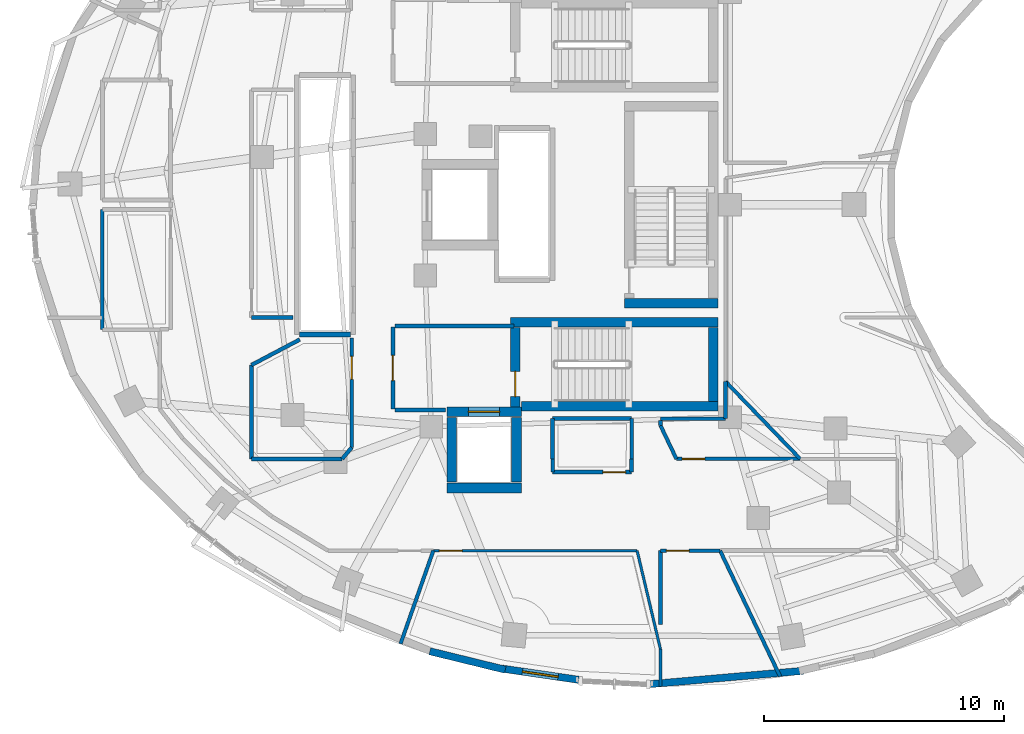
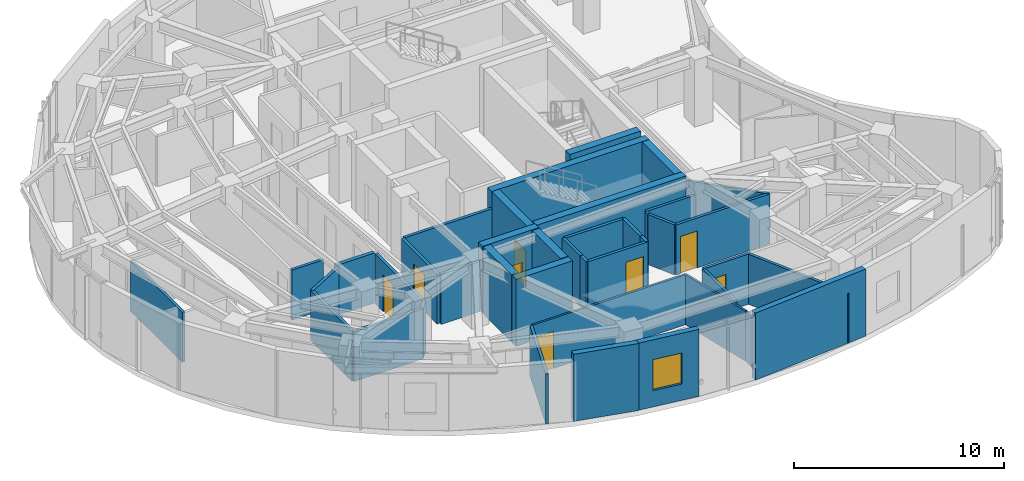
# One storey, part 7 of 13: 42 walls, 8 doors, 1 window, 9 openings.
"""IFC4 building model written with IfcOpenShell, lengths in metres."""

from ifc_helpers import new_model, si_unit, direction, frame, frame_2d, origin, place, context, subcontext, project, spatial, rectangle, extrude, material, layer, layer_set, type_object, element, fill, save


model = new_model("IFC4")

# Units and contexts
model_context = context("Model", 3, precision=1e-05, world=origin(), true_north=direction((0.0, 1.0)))
body_context = subcontext(model_context, "Body", "Model", "MODEL_VIEW")
ifc_project = project(units=[si_unit("LENGTHUNIT", "METRE"), si_unit("AREAUNIT", "SQUARE_METRE"), si_unit("VOLUMEUNIT", "CUBIC_METRE"), si_unit("PLANEANGLEUNIT", "RADIAN"), si_unit("MASSUNIT", "GRAM", prefix="KILO")], contexts=[model_context])

# Site, building, storey
site_placement = place(None, origin())
site = spatial("IfcSite", under=ifc_project, at=site_placement, CompositionType="ELEMENT")
building_placement = place(site_placement, origin())
building = spatial("IfcBuilding", under=site, at=building_placement, Name="Korentha Bioscience Tower", CompositionType="ELEMENT")
storey_placement = place(building_placement, frame((0.0, 0.0, 200.39990234375)))
storey = spatial("IfcBuildingStorey", under=building, at=storey_placement, Name="L46", CompositionType="ELEMENT", Elevation=200.39990234375)

# Wall, opening, door
ifc_material_1 = material(Name="Double-Stud Acoustic Gypsum", Category="gypsum")
ifc_layer_1 = layer(ifc_material_1, 0.14990234375, Name="Double-Stud Acoustic Gypsum")
ifc_layer_set_1 = layer_set([ifc_layer_1], Name="Double-Stud Acoustic Gypsum (IW-L150)")
wall_type_1 = type_object("IfcWallType", Name="Acoustic Laboratory Partition Wall 150", PredefinedType="PARTITIONING", material=ifc_layer_set_1)
wall_1_placement = place(storey_placement, frame((34.652099609375, 12.590087890625, 0.0), z_axis=(0.0, 0.0, 1.0), x_axis=(1.0, 0.0, 0.0)))
wall_1 = element("IfcWall", 1, at=wall_1_placement, inside=storey, type_object=wall_type_1, Name="L46 Research Colloquium Seminar Room 04 Entrance Wall", PredefinedType="PARTITIONING", context=body_context, shape_type="SweptSolid", body=[
    extrude(rectangle(XDim=2.480224609375, YDim=0.14990234375, at=frame_2d((1.240234375, 0.0))), origin(), (0.0, 0.0, 1.0), 2.91015625),
])
opening_1_placement = place(wall_1_placement, frame((0.239990234375, 0.0, 0.0)))
opening_1 = element("IfcOpeningElement", 2, at=opening_1_placement, cuts=wall_1, Name="Opening ID-10R", PredefinedType="OPENING", context=body_context, shape_type="SweptSolid", body=[
    extrude(rectangle(XDim=0.949951171875, YDim=2.14990234375, at=frame_2d((0.47509765625, 1.074951171875))), frame((0.0, 0.08984375, 0.0), z_axis=(0.0, -1.0, 0.0), x_axis=(1.0, 0.0, 0.0)), (0.0, 0.0, 1.0), 0.1796875),
])
ifc_material_2 = material(Name="Phenolic Laminate Timber Core", Category="wood")
door_type_1 = type_object("IfcDoorType", Name="Laboratory Single Leaf Door 950x2150 Right", OperationType="SINGLE_SWING_RIGHT", PredefinedType="DOOR", material=ifc_material_2)
door_1_placement = place(opening_1_placement, origin())
door_1 = element("IfcDoor", 3, at=door_1_placement, inside=storey, type_object=door_type_1, Name="L46 Research Colloquium Seminar Room 04 Door", OperationType="SINGLE_SWING_RIGHT", OverallHeight=2.14990234375, OverallWidth=0.949951171875, PredefinedType="DOOR", context=body_context, shape_type="SweptSolid", body=[
    extrude(rectangle(XDim=0.949951171875, YDim=2.14990234375, at=frame_2d((0.47509765625, 1.074951171875))), frame((0.0, 0.02490234375, 0.0), z_axis=(0.0, -1.0, 0.0), x_axis=(1.0, 0.0, 0.0)), (0.0, 0.0, 1.0), 0.050048828125),
])
fill(opening_1, door_1)

wall_2_placement = place(storey_placement, frame((40.47216796875, 16.409912109375, 0.0), z_axis=(0.0, 0.0, 1.0), x_axis=(-1.0, 0.0, 0.0)))
wall_2 = element("IfcWall", 4, at=wall_2_placement, inside=storey, type_object=wall_type_1, Name="L46 Computational Biology Open Studio 06 Entrance Wall", PredefinedType="PARTITIONING", context=body_context, shape_type="SweptSolid", body=[
    extrude(rectangle(XDim=5.157470703125, YDim=0.14990234375, at=frame_2d((2.57861328125, 0.0))), origin(), (0.0, 0.0, 1.0), 2.91015625),
])
opening_2_placement = place(wall_2_placement, frame((3.967529296875, 0.0, 0.0)))
opening_2 = element("IfcOpeningElement", 5, at=opening_2_placement, cuts=wall_2, Name="Opening ID-10R", PredefinedType="OPENING", context=body_context, shape_type="SweptSolid", body=[
    extrude(rectangle(XDim=0.949951171875, YDim=2.14990234375, at=frame_2d((0.47509765625, 1.074951171875))), frame((0.0, 0.08984375, 0.0), z_axis=(0.0, -1.0, 0.0), x_axis=(1.0, 0.0, 0.0)), (0.0, 0.0, 1.0), 0.1796875),
])
door_2_placement = place(opening_2_placement, origin())
door_2 = element("IfcDoor", 6, at=door_2_placement, inside=storey, type_object=door_type_1, Name="L46 Computational Biology Open Studio 06 Door", OperationType="SINGLE_SWING_RIGHT", OverallHeight=2.14990234375, OverallWidth=0.949951171875, PredefinedType="DOOR", context=body_context, shape_type="SweptSolid", body=[
    extrude(rectangle(XDim=0.949951171875, YDim=2.14990234375, at=frame_2d((0.47509765625, 1.074951171875))), frame((0.0, 0.02490234375, 0.0), z_axis=(0.0, -1.0, 0.0), x_axis=(1.0, 0.0, 0.0)), (0.0, 0.0, 1.0), 0.050048828125),
])
fill(opening_2, door_2)

# Walls
wall_3_placement = place(storey_placement, frame((11.39990234375, 21.800048828125, 0.0), z_axis=(0.0, 0.0, 1.0), x_axis=(0.0, 1.0, 0.0)))
element("IfcWall", 7, at=wall_3_placement, inside=storey, type_object=wall_type_1, Name="L46 Interior Partition 027", PredefinedType="PARTITIONING", context=body_context, shape_type="SweptSolid", body=[
    extrude(rectangle(XDim=5.0, YDim=0.14990234375, at=frame_2d((2.5, 0.0))), origin(), (0.0, 0.0, 1.0), 2.91015625),
])
wall_4_placement = place(storey_placement, frame((25.187255859375, 12.590087890625, 0.0), z_axis=(0.0, 0.0, 1.0), x_axis=(-0.33203815737, -0.9432659551, 0.0)))
element("IfcWall", 8, at=wall_4_placement, inside=storey, type_object=wall_type_1, Name="L46 Interior Partition 043", PredefinedType="PARTITIONING", context=body_context, shape_type="SweptSolid", body=[
    extrude(rectangle(XDim=4.1162109375, YDim=0.14990234375, at=frame_2d((2.05810546875, 0.0))), origin(), (0.0, 0.0, 1.0), 2.91015625),
])
wall_5_placement = place(storey_placement, frame((34.652099609375, 9.510498046875, 0.0), z_axis=(0.0, 0.0, 1.0), x_axis=(0.0, 1.0, 0.0)))
element("IfcWall", 9, at=wall_5_placement, inside=storey, type_object=wall_type_1, Name="L46 Interior Partition 047", PredefinedType="PARTITIONING", context=body_context, shape_type="SweptSolid", body=[
    extrude(rectangle(XDim=3.07958984375, YDim=0.14990234375, at=frame_2d((1.539794921875, 0.0))), origin(), (0.0, 0.0, 1.0), 2.91015625),
])
wall_6_placement = place(storey_placement, frame((37.13232421875, 12.590087890625, 0.0), z_axis=(0.0, 0.0, 1.0), x_axis=(0.430506245384, -0.902587598344, 0.0)))
element("IfcWall", 10, at=wall_6_placement, inside=storey, type_object=wall_type_1, Name="L46 Interior Partition 048", PredefinedType="PARTITIONING", context=body_context, shape_type="SweptSolid", body=[
    extrude(rectangle(XDim=5.8076171875, YDim=0.14990234375, at=frame_2d((2.90380859375, 0.0))), origin(), (0.0, 0.0, 1.0), 2.91015625),
])
wall_7_placement = place(storey_placement, frame((34.652099609375, 17.79931640625, 0.0), z_axis=(0.0, 0.0, 1.0), x_axis=(0.0, 1.0, 0.0)))
element("IfcWall", 11, at=wall_7_placement, inside=storey, type_object=wall_type_1, Name="L46 Interior Partition 050", PredefinedType="PARTITIONING", context=body_context, shape_type="SweptSolid", body=[
    extrude(rectangle(XDim=0.212646484375, YDim=0.14990234375, at=frame_2d((0.1064453125, 0.0))), origin(), (0.0, 0.0, 1.0), 2.91015625),
])
wall_8_placement = place(storey_placement, frame((34.652099609375, 18.090087890625, 0.0), z_axis=(0.0, 0.0, 1.0), x_axis=(1.0, 0.0, 0.0)))
element("IfcWall", 12, at=wall_8_placement, inside=storey, type_object=wall_type_1, Name="L46 Interior Partition 051", PredefinedType="PARTITIONING", context=body_context, shape_type="SweptSolid", body=[
    extrude(rectangle(XDim=2.697998046875, YDim=0.14990234375, at=frame_2d((1.34912109375, 0.0))), origin(), (0.0, 0.0, 1.0), 2.91015625),
])
wall_9_placement = place(storey_placement, frame((37.360107421875, 18.10009765625, 0.0), z_axis=(0.0, 0.0, 1.0), x_axis=(0.0, 1.0, 0.0)))
element("IfcWall", 13, at=wall_9_placement, inside=storey, type_object=wall_type_1, Name="L46 Interior Partition 052", PredefinedType="PARTITIONING", context=body_context, shape_type="SweptSolid", body=[
    extrude(rectangle(XDim=1.536865234375, YDim=0.14990234375, at=frame_2d((0.7685546875, 0.0))), origin(), (0.0, 0.0, 1.0), 2.91015625),
])
wall_10_placement = place(storey_placement, frame((37.360107421875, 19.636962890625, 0.0), z_axis=(0.0, 0.0, 1.0), x_axis=(0.694165803971, -0.719815140573, 0.0)))
element("IfcWall", 14, at=wall_10_placement, inside=storey, type_object=wall_type_1, Name="L46 Interior Partition 053", PredefinedType="PARTITIONING", context=body_context, shape_type="SweptSolid", body=[
    extrude(rectangle(XDim=4.483154296875, YDim=0.14990234375, at=frame_2d((2.24169921875, 0.0))), origin(), (0.0, 0.0, 1.0), 2.91015625),
])
wall_11_placement = place(storey_placement, frame((35.314697265625, 16.409912109375, 0.0), z_axis=(0.0, 0.0, 1.0), x_axis=(-0.430450657863, 0.902614109764, 0.0)))
element("IfcWall", 15, at=wall_11_placement, inside=storey, type_object=wall_type_1, Name="L46 Interior Partition 054", PredefinedType="PARTITIONING", context=body_context, shape_type="SweptSolid", body=[
    extrude(rectangle(XDim=1.539306640625, YDim=0.14990234375, at=frame_2d((0.76953125, 0.0))), origin(), (0.0, 0.0, 1.0), 2.91015625),
])
wall_12_placement = place(storey_placement, frame((19.33984375, 22.302001953125, 0.0), z_axis=(0.0, 0.0, 1.0), x_axis=(-1.0, 0.0, 0.0)))
element("IfcWall", 16, at=wall_12_placement, inside=storey, type_object=wall_type_1, Name="L46 Interior Partition 085", PredefinedType="PARTITIONING", context=body_context, shape_type="SweptSolid", body=[
    extrude(rectangle(XDim=1.729736328125, YDim=0.14990234375, at=frame_2d((0.86474609375, 0.0))), origin(), (0.0, 0.0, 1.0), 2.91015625),
])

# Wall, opening, door
ifc_material_3 = material(Name="Fire-Rated Framed Glass", Category="glass")
ifc_layer_2 = layer(ifc_material_3, 0.110107421875, Name="Fire-Rated Framed Glass")
ifc_layer_set_2 = layer_set([ifc_layer_2], Name="Fire-Rated Framed Glass (IW-G110)")
wall_type_2 = type_object("IfcWallType", Name="Demountable Glazed Office Partition 110", PredefinedType="MOVABLE", material=ifc_layer_set_2)
wall_13_placement = place(storey_placement, frame((25.197265625, 12.590087890625, 0.0), z_axis=(0.0, 0.0, 1.0), x_axis=(1.0, 0.0, 0.0)))
wall_13 = element("IfcWall", 17, at=wall_13_placement, inside=storey, type_object=wall_type_2, Name="L46 Principal Investigator Office 03 Entrance Wall", PredefinedType="MOVABLE", context=body_context, shape_type="SweptSolid", body=[
    extrude(rectangle(XDim=8.47802734375, YDim=0.110107421875, at=frame_2d((4.239013671875, 0.0))), origin(), (0.0, 0.0, 1.0), 2.91015625),
])
opening_3_placement = place(wall_13_placement, frame((0.239990234375, 0.0, 0.0)))
opening_3 = element("IfcOpeningElement", 18, at=opening_3_placement, cuts=wall_13, Name="Opening ID-10L", PredefinedType="OPENING", context=body_context, shape_type="SweptSolid", body=[
    extrude(rectangle(XDim=0.949951171875, YDim=2.14990234375, at=frame_2d((0.47509765625, 1.074951171875))), frame((0.0, 0.06982421875, 0.0), z_axis=(0.0, -1.0, 0.0), x_axis=(1.0, 0.0, 0.0)), (0.0, 0.0, 1.0), 0.139892578125),
])
door_type_2 = type_object("IfcDoorType", Name="Laboratory Single Leaf Door 950x2150 Left", OperationType="SINGLE_SWING_LEFT", PredefinedType="DOOR", material=ifc_material_2)
door_3_placement = place(opening_3_placement, origin())
door_3 = element("IfcDoor", 19, at=door_3_placement, inside=storey, type_object=door_type_2, Name="L46 Principal Investigator Office 03 Door", OperationType="SINGLE_SWING_LEFT", OverallHeight=2.14990234375, OverallWidth=0.949951171875, PredefinedType="DOOR", context=body_context, shape_type="SweptSolid", body=[
    extrude(rectangle(XDim=0.949951171875, YDim=2.14990234375, at=frame_2d((0.47509765625, 1.074951171875))), frame((0.0, 0.02490234375, 0.0), z_axis=(0.0, -1.0, 0.0), x_axis=(1.0, 0.0, 0.0)), (0.0, 0.0, 1.0), 0.050048828125),
])
fill(opening_3, door_3)

# Walls
wall_14_placement = place(storey_placement, frame((34.64794921875, 8.486572265625, 0.0), z_axis=(0.0, 0.0, 1.0), x_axis=(0.0, -1.0, 0.0)))
element("IfcWall", 20, at=wall_14_placement, inside=storey, type_object=wall_type_2, Name="L46 Interior Partition 044", PredefinedType="MOVABLE", context=body_context, shape_type="SweptSolid", body=[
    extrude(rectangle(XDim=1.558837890625, YDim=0.110107421875, at=frame_2d((0.779296875, 0.0))), origin(), (0.0, 0.0, 1.0), 2.91015625),
])
wall_15_placement = place(storey_placement, frame((33.67529296875, 12.590087890625, 0.0), z_axis=(0.0, 0.0, 1.0), x_axis=(0.230652477901, -0.973036193797, 0.0)))
element("IfcWall", 21, at=wall_15_placement, inside=storey, type_object=wall_type_2, Name="L46 Interior Partition 045", PredefinedType="MOVABLE", context=body_context, shape_type="SweptSolid", body=[
    extrude(rectangle(XDim=4.217041015625, YDim=0.110107421875, at=frame_2d((2.1083984375, 0.0))), origin(), (0.0, 0.0, 1.0), 2.91015625),
])

# Wall, opening, door
ifc_material_4 = material(Name="Gypsum-Clad Steel Stud", Category="steel")
ifc_layer_3 = layer(ifc_material_4, 0.159912109375, Name="Gypsum-Clad Steel Stud")
ifc_layer_set_3 = layer_set([ifc_layer_3], Name="Gypsum-Clad Steel Stud (IW-C160)")
wall_type_3 = type_object("IfcWallType", Name="Fire-Rated Corridor Partition Wall 160", PredefinedType="PARTITIONING", material=ifc_layer_set_3)
wall_16_placement = place(storey_placement, frame((23.5, 18.5, 0.0), z_axis=(0.0, 0.0, 1.0), x_axis=(0.0, 1.0, 0.0)))
wall_16 = element("IfcWall", 22, at=wall_16_placement, inside=storey, type_object=wall_type_3, Name="L46 FFLS-CW Rated Enclosure Wall", PredefinedType="PARTITIONING", context=body_context, shape_type="SweptSolid", body=[
    extrude(rectangle(XDim=3.39990234375, YDim=0.159912109375, at=frame_2d((1.699951171875, 0.0))), origin(), (0.0, 0.0, 1.0), 2.91015625),
])
opening_4_placement = place(wall_16_placement, frame((1.175048828125, 0.0, 0.0)))
opening_4 = element("IfcOpeningElement", 23, at=opening_4_placement, cuts=wall_16, Name="Opening FD-90L", PredefinedType="OPENING", context=body_context, shape_type="SweptSolid", body=[
    extrude(rectangle(XDim=1.050048828125, YDim=2.14990234375, at=frame_2d((0.52490234375, 1.074951171875))), frame((0.0, 0.0947265625, 0.0), z_axis=(0.0, -1.0, 0.0), x_axis=(1.0, 0.0, 0.0)), (0.0, 0.0, 1.0), 0.189697265625),
])
ifc_material_5 = material(Name="Powder-Coated Fire-Rated Steel", Category="steel")
door_type_3 = type_object("IfcDoorType", Name="Stairwell Fire Exit Door 1050x2150 Left", OperationType="SINGLE_SWING_LEFT", PredefinedType="DOOR", material=ifc_material_5)
door_4_placement = place(opening_4_placement, origin())
door_4 = element("IfcDoor", 24, at=door_4_placement, inside=storey, type_object=door_type_3, Name="L46 South Firefighting Lobby Door", OperationType="SINGLE_SWING_LEFT", OverallHeight=2.14990234375, OverallWidth=1.050048828125, PredefinedType="DOOR", context=body_context, shape_type="SweptSolid", body=[
    extrude(rectangle(XDim=1.050048828125, YDim=2.14990234375, at=frame_2d((0.52490234375, 1.074951171875))), frame((0.0, 0.02490234375, 0.0), z_axis=(0.0, -1.0, 0.0), x_axis=(1.0, 0.0, 0.0)), (0.0, 0.0, 1.0), 0.050048828125),
])
fill(opening_4, door_4)

# Walls
wall_17_placement = place(storey_placement, frame((23.580078125, 21.949951171875, 0.0), z_axis=(0.0, 0.0, 1.0), x_axis=(1.0, 0.0, 0.0)))
element("IfcWall", 25, at=wall_17_placement, inside=storey, type_object=wall_type_3, Name="L46 Firefighting Lobby Return Wall FFLS-N", PredefinedType="PARTITIONING", context=body_context, shape_type="SweptSolid", body=[
    extrude(rectangle(XDim=4.969970703125, YDim=0.159912109375, at=frame_2d((2.48486328125, 0.0))), origin(), (0.0, 0.0, 1.0), 2.91015625),
])
wall_18_placement = place(storey_placement, frame((23.580078125, 18.449951171875, 0.0), z_axis=(0.0, 0.0, 1.0), x_axis=(1.0, 0.0, 0.0)))
element("IfcWall", 26, at=wall_18_placement, inside=storey, type_object=wall_type_3, Name="L46 Firefighting Lobby Return Wall FFLS-S", PredefinedType="PARTITIONING", context=body_context, shape_type="SweptSolid", body=[
    extrude(rectangle(XDim=2.119873046875, YDim=0.159912109375, at=frame_2d((1.06005859375, 0.0))), origin(), (0.0, 0.0, 1.0), 2.91015625),
])

# Wall, opening, door
wall_19_placement = place(storey_placement, frame((33.43994140625, 15.860107421875, 0.0), z_axis=(0.0, 0.0, 1.0), x_axis=(-1.0, 0.0, 0.0)))
wall_19 = element("IfcWall", 27, at=wall_19_placement, inside=storey, type_object=wall_type_3, Name="L46 Core Instrumentation and Gas Store Entrance Wall", PredefinedType="PARTITIONING", context=body_context, shape_type="SweptSolid", body=[
    extrude(rectangle(XDim=3.280029296875, YDim=0.159912109375, at=frame_2d((1.64013671875, 0.0))), origin(), (0.0, 0.0, 1.0), 2.91015625),
])
opening_5_placement = place(wall_19_placement, frame((0.239990234375, 0.0, 0.0)))
opening_5 = element("IfcOpeningElement", 28, at=opening_5_placement, cuts=wall_19, Name="Opening ID-10L", PredefinedType="OPENING", context=body_context, shape_type="SweptSolid", body=[
    extrude(rectangle(XDim=0.949951171875, YDim=2.14990234375, at=frame_2d((0.47509765625, 1.074951171875))), frame((0.0, 0.0947265625, 0.0), z_axis=(0.0, -1.0, 0.0), x_axis=(1.0, 0.0, 0.0)), (0.0, 0.0, 1.0), 0.189697265625),
])
door_5_placement = place(opening_5_placement, origin())
door_5 = element("IfcDoor", 29, at=door_5_placement, inside=storey, type_object=door_type_2, Name="L46 Core Instrumentation and Gas Store Door", OperationType="SINGLE_SWING_LEFT", OverallHeight=2.14990234375, OverallWidth=0.949951171875, PredefinedType="DOOR", context=body_context, shape_type="SweptSolid", body=[
    extrude(rectangle(XDim=0.949951171875, YDim=2.14990234375, at=frame_2d((0.47509765625, 1.074951171875))), frame((0.0, 0.02490234375, 0.0), z_axis=(0.0, -1.0, 0.0), x_axis=(1.0, 0.0, 0.0)), (0.0, 0.0, 1.0), 0.050048828125),
])
fill(opening_5, door_5)

wall_20_placement = place(storey_placement, frame((21.7900390625, 21.43994140625, 0.0), z_axis=(0.0, 0.0, 1.0), x_axis=(0.0, -1.0, 0.0)))
wall_20 = element("IfcWall", 30, at=wall_20_placement, inside=storey, type_object=wall_type_3, Name="L46 Biospecimen Archive Store 01 Entrance Wall", PredefinedType="PARTITIONING", context=body_context, shape_type="SweptSolid", body=[
    extrude(rectangle(XDim=4.548828125, YDim=0.159912109375, at=frame_2d((2.2744140625, 0.0))), origin(), (0.0, 0.0, 1.0), 2.91015625),
])
opening_6_placement = place(wall_20_placement, frame((0.760986328125, 0.0, 0.0)))
opening_6 = element("IfcOpeningElement", 31, at=opening_6_placement, cuts=wall_20, Name="Opening ID-10L", PredefinedType="OPENING", context=body_context, shape_type="SweptSolid", body=[
    extrude(rectangle(XDim=0.949951171875, YDim=2.14990234375, at=frame_2d((0.47509765625, 1.074951171875))), frame((0.0, 0.0947265625, 0.0), z_axis=(0.0, -1.0, 0.0), x_axis=(1.0, 0.0, 0.0)), (0.0, 0.0, 1.0), 0.189697265625),
])
door_6_placement = place(opening_6_placement, origin())
door_6 = element("IfcDoor", 32, at=door_6_placement, inside=storey, type_object=door_type_2, Name="L46 Biospecimen Archive Store 01 Door", OperationType="SINGLE_SWING_LEFT", OverallHeight=2.14990234375, OverallWidth=0.949951171875, PredefinedType="DOOR", context=body_context, shape_type="SweptSolid", body=[
    extrude(rectangle(XDim=0.949951171875, YDim=2.14990234375, at=frame_2d((0.47509765625, 1.074951171875))), frame((0.0, 0.02490234375, 0.0), z_axis=(0.0, -1.0, 0.0), x_axis=(1.0, 0.0, 0.0)), (0.0, 0.0, 1.0), 0.050048828125),
])
fill(opening_6, door_6)

# Walls
for number, where, z_axis, x_axis, name in (
    (33, (33.43994140625, 16.39990234375, 0.0), (0.0, 0.0, 1.0), (0.0, -1.0, 0.0), "L46 Interior Partition 018"),
    (34, (30.159912109375, 15.860107421875, 0.0), (0.0, 0.0, 1.0), (0.0, 1.0, 0.0), "L46 Interior Partition 019"),
):
    element("IfcWall", number, at=place(storey_placement, frame(where, z_axis=z_axis, x_axis=x_axis)), inside=storey, type_object=wall_type_3, Name=name, PredefinedType="PARTITIONING", context=body_context, shape_type="SweptSolid", body=[
        extrude(rectangle(XDim=0.539794921875, YDim=0.159912109375, at=frame_2d((0.27001953125, 0.0))), origin(), (0.0, 0.0, 1.0), 2.91015625),
    ])
wall_21_placement = place(storey_placement, frame((30.14990234375, 16.409912109375, 0.0), z_axis=(0.0, 0.0, 1.0), x_axis=(0.0, 1.0, 0.0)))
element("IfcWall", 35, at=wall_21_placement, inside=storey, type_object=wall_type_3, Name="L46 Interior Partition 020", PredefinedType="PARTITIONING", context=body_context, shape_type="SweptSolid", body=[
    extrude(rectangle(XDim=1.68017578125, YDim=0.159912109375, at=frame_2d((0.840087890625, 0.0))), origin(), (0.0, 0.0, 1.0), 2.91015625),
])
wall_22_placement = place(storey_placement, frame((30.14990234375, 18.090087890625, 0.0), z_axis=(0.0, 0.0, 1.0), x_axis=(1.0, 0.0, 0.0)))
element("IfcWall", 36, at=wall_22_placement, inside=storey, type_object=wall_type_3, Name="L46 Interior Partition 021", PredefinedType="PARTITIONING", context=body_context, shape_type="SweptSolid", body=[
    extrude(rectangle(XDim=3.300048828125, YDim=0.159912109375, at=frame_2d((1.64990234375, 0.0))), origin(), (0.0, 0.0, 1.0), 2.91015625),
])
wall_23_placement = place(storey_placement, frame((33.449951171875, 18.090087890625, 0.0), z_axis=(0.0, 0.0, 1.0), x_axis=(0.0, -1.0, 0.0)))
element("IfcWall", 37, at=wall_23_placement, inside=storey, type_object=wall_type_3, Name="L46 Interior Partition 022", PredefinedType="PARTITIONING", context=body_context, shape_type="SweptSolid", body=[
    extrude(rectangle(XDim=1.68017578125, YDim=0.159912109375, at=frame_2d((0.840087890625, 0.0))), origin(), (0.0, 0.0, 1.0), 2.91015625),
])
wall_24_placement = place(storey_placement, frame((21.7900390625, 16.89111328125, 0.0), z_axis=(0.0, 0.0, 1.0), x_axis=(-0.6421333912, -0.766592921899, 0.0)))
element("IfcWall", 38, at=wall_24_placement, inside=storey, type_object=wall_type_3, Name="L46 Interior Partition 033", PredefinedType="PARTITIONING", context=body_context, shape_type="SweptSolid", body=[
    extrude(rectangle(XDim=0.627685546875, YDim=0.159912109375, at=frame_2d((0.31396484375, 0.0))), origin(), (0.0, 0.0, 1.0), 2.91015625),
])
wall_25_placement = place(storey_placement, frame((21.386962890625, 16.409912109375, 0.0), z_axis=(0.0, 0.0, 1.0), x_axis=(-1.0, 0.0, 0.0)))
element("IfcWall", 39, at=wall_25_placement, inside=storey, type_object=wall_type_3, Name="L46 Interior Partition 034", PredefinedType="PARTITIONING", context=body_context, shape_type="SweptSolid", body=[
    extrude(rectangle(XDim=3.77685546875, YDim=0.159912109375, at=frame_2d((1.888427734375, 0.0))), origin(), (0.0, 0.0, 1.0), 2.91015625),
])
wall_26_placement = place(storey_placement, frame((17.610107421875, 16.409912109375, 0.0), z_axis=(0.0, 0.0, 1.0), x_axis=(0.0, 1.0, 0.0)))
element("IfcWall", 40, at=wall_26_placement, inside=storey, type_object=wall_type_3, Name="L46 Interior Partition 035", PredefinedType="PARTITIONING", context=body_context, shape_type="SweptSolid", body=[
    extrude(rectangle(XDim=3.912353515625, YDim=0.159912109375, at=frame_2d((1.9560546875, 0.0))), origin(), (0.0, 0.0, 1.0), 2.91015625),
])
wall_27_placement = place(storey_placement, frame((17.610107421875, 20.322265625, 0.0), z_axis=(0.0, 0.0, 1.0), x_axis=(0.884437714556, 0.466658257261, 0.0)))
element("IfcWall", 41, at=wall_27_placement, inside=storey, type_object=wall_type_3, Name="L46 Interior Partition 036", PredefinedType="PARTITIONING", context=body_context, shape_type="SweptSolid", body=[
    extrude(rectangle(XDim=2.272705078125, YDim=0.159912109375, at=frame_2d((1.13623046875, 0.0))), origin(), (0.0, 0.0, 1.0), 2.91015625),
])

# Wall, opening, window
ifc_material_6 = material(Name="Honed Limestone Precast Concrete C40", Category="masonry")
ifc_layer_4 = layer(ifc_material_6, 0.300048828125, Name="Honed Limestone Precast Concrete C40")
ifc_layer_set_4 = layer_set([ifc_layer_4], Name="Honed Limestone Precast Concrete C40 (EW-ST300)")
wall_type_4 = type_object("IfcWallType", Name="Honed Limestone Cavity Spandrel Wall 300", PredefinedType="STANDARD", material=ifc_layer_set_4)
wall_28_placement = place(storey_placement, frame((28.0400390625, 7.676025390625, 0.0), z_axis=(0.0, 0.0, 1.0), x_axis=(0.989447361059, -0.144892786892, 0.0)))
wall_28 = element("IfcWall", 42, at=wall_28_placement, inside=storey, type_object=wall_type_4, Name="L46 Honed Limestone Spandrel Wall 30", PredefinedType="STANDARD", context=body_context, shape_type="SweptSolid", body=[
    extrude(rectangle(XDim=3.238525390625, YDim=0.300048828125, at=frame_2d((1.619140625, 0.0))), origin(), (0.0, 0.0, 1.0), 3.900146484375),
])
opening_7_placement = place(wall_28_placement, frame((0.869384765625, 0.0, 0.949951171875)))
opening_7 = element("IfcOpeningElement", 43, at=opening_7_placement, cuts=wall_28, Name="Opening WN-02", PredefinedType="OPENING", context=body_context, shape_type="SweptSolid", body=[
    extrude(rectangle(XDim=1.5, YDim=1.800048828125, at=frame_2d((0.75, 0.89990234375))), frame((0.0, 0.1650390625, 0.0), z_axis=(0.0, -1.0, 0.0), x_axis=(1.0, 0.0, 0.0)), (0.0, 0.0, 1.0), 0.329833984375),
])
ifc_material_7 = material(Name="Thermally Broken Aluminium Triple Glazing", Category="aluminium")
window_type = type_object("IfcWindowType", Name="Acoustic Operable Office Window 1500x1800", PartitioningType="DOUBLE_PANEL_VERTICAL", PredefinedType="WINDOW", material=ifc_material_7)
window_placement = place(opening_7_placement, origin())
window = element("IfcWindow", 44, at=window_placement, inside=storey, type_object=window_type, Name="L46 Facade Window 30", OverallHeight=1.800048828125, OverallWidth=1.5, PartitioningType="DOUBLE_PANEL_VERTICAL", PredefinedType="WINDOW", context=body_context, shape_type="SweptSolid", body=[
    extrude(rectangle(XDim=1.5, YDim=1.800048828125, at=frame_2d((0.75, 0.89990234375))), frame((0.0, 0.030029296875, 0.0), z_axis=(0.0, -1.0, 0.0), x_axis=(1.0, 0.0, 0.0)), (0.0, 0.0, 1.0), 0.06005859375),
])
fill(opening_7, window)

# Walls
wall_29_placement = place(storey_placement, frame((25.0390625, 8.397216796875, 0.0), z_axis=(0.0, 0.0, 1.0), x_axis=(0.971279195983, -0.237942689423, 0.0)))
element("IfcWall", 45, at=wall_29_placement, inside=storey, type_object=wall_type_4, Name="L46 Limestone Perimeter Closure Wall 29", PredefinedType="STANDARD", context=body_context, shape_type="SweptSolid", body=[
    extrude(rectangle(XDim=3.2412109375, YDim=0.300048828125, at=frame_2d((1.62060546875, 0.0))), origin(), (0.0, 0.0, 1.0), 3.900146484375),
])
wall_30_placement = place(storey_placement, frame((34.203857421875, 7.02587890625, 0.0), z_axis=(0.0, 0.0, 1.0), x_axis=(0.996244157791, 0.086588556217, 0.0)))
element("IfcWall", 46, at=wall_30_placement, inside=storey, type_object=wall_type_4, Name="L46 Limestone Perimeter Closure Wall 32", PredefinedType="STANDARD", context=body_context, shape_type="SweptSolid", body=[
    extrude(rectangle(XDim=6.41455078125, YDim=0.300048828125, at=frame_2d((3.207275390625, 0.0))), origin(), (0.0, 0.0, 1.0), 3.900146484375),
])
ifc_material_8 = material(Name="Autoclaved Aerated Concrete Block C25", Category="concrete")
ifc_layer_5 = layer(ifc_material_8, 0.199951171875, Name="Autoclaved Aerated Concrete Block C25")
ifc_layer_set_5 = layer_set([ifc_layer_5], Name="Autoclaved Aerated Concrete Block C25 (IW-S200)")
wall_type_5 = type_object("IfcWallType", Name="Lift and Riser Shaft Enclosure Wall 200", PredefinedType="PARTITIONING", material=ifc_layer_set_5)
wall_31_placement = place(storey_placement, frame((19.6201171875, 21.60009765625, 0.0), z_axis=(0.0, 0.0, 1.0), x_axis=(1.0, 0.0, 0.0)))
element("IfcWall", 47, at=wall_31_placement, inside=storey, type_object=wall_type_5, Name="L46 Lift Bank MID Shaft Wall -Y", PredefinedType="PARTITIONING", context=body_context, shape_type="SweptSolid", body=[
    extrude(rectangle(XDim=2.10986328125, YDim=0.199951171875, at=frame_2d((1.054931640625, 0.0))), origin(), (0.0, 0.0, 1.0), 2.91015625),
])
ifc_material_9 = material(Name="Concrete C65", Category="concrete")
ifc_layer_6 = layer(ifc_material_9, 0.39990234375, Name="Concrete C65")
ifc_layer_set_6 = layer_set([ifc_layer_6], Name="Concrete C65 (CW-C65)")
wall_type_6 = type_object("IfcWallType", Name="Mid-Rise Core Shear Wall 400", PredefinedType="SHEAR", material=ifc_layer_set_6)
wall_32_placement = place(storey_placement, frame((28.85205078125, 18.60009765625, 0.0), z_axis=(0.0, 0.0, 1.0), x_axis=(1.0, 0.0, 0.0)))
element("IfcWall", 48, at=wall_32_placement, inside=storey, type_object=wall_type_6, Name="L46 Core Shear Wall ST2-S", PredefinedType="SHEAR", context=body_context, shape_type="SweptSolid", body=[
    extrude(rectangle(XDim=8.197998046875, YDim=0.39990234375, at=frame_2d((4.09912109375, 0.0))), origin(), (0.0, 0.0, 1.0), 3.900146484375),
])
wall_33_placement = place(storey_placement, frame((28.39990234375, 22.10009765625, 0.0), z_axis=(0.0, 0.0, 1.0), x_axis=(1.0, 0.0, 0.0)))
element("IfcWall", 49, at=wall_33_placement, inside=storey, type_object=wall_type_6, Name="L46 Core Shear Wall ST2-N", PredefinedType="SHEAR", context=body_context, shape_type="SweptSolid", body=[
    extrude(rectangle(XDim=8.650146484375, YDim=0.39990234375, at=frame_2d((4.3251953125, 0.0))), origin(), (0.0, 0.0, 1.0), 3.900146484375),
])
wall_34_placement = place(storey_placement, frame((36.85009765625, 18.81005859375, 0.0), z_axis=(0.0, 0.0, 1.0), x_axis=(0.0, 1.0, 0.0)))
element("IfcWall", 50, at=wall_34_placement, inside=storey, type_object=wall_type_6, Name="L46 Core Shear Wall ST2-E", PredefinedType="SHEAR", context=body_context, shape_type="SweptSolid", body=[
    extrude(rectangle(XDim=3.079833984375, YDim=0.39990234375, at=frame_2d((1.5400390625, 0.0))), origin(), (0.0, 0.0, 1.0), 3.900146484375),
])

# Wall, opening, door
wall_35_placement = place(storey_placement, frame((28.60009765625, 18.58203125, 0.0), z_axis=(0.0, 0.0, 1.0), x_axis=(0.0, 1.0, 0.0)))
wall_35 = element("IfcWall", 51, at=wall_35_placement, inside=storey, type_object=wall_type_6, Name="L46 Core Shear Wall ST2-W", PredefinedType="SHEAR", context=body_context, shape_type="SweptSolid", body=[
    extrude(rectangle(XDim=3.307861328125, YDim=0.39990234375, at=frame_2d((1.65380859375, 0.0))), origin(), (0.0, 0.0, 1.0), 3.900146484375),
])
opening_8_placement = place(wall_35_placement, frame((0.427978515625, 0.0, 0.0)))
opening_8 = element("IfcOpeningElement", 52, at=opening_8_placement, cuts=wall_35, Name="Opening FD-90L", PredefinedType="OPENING", context=body_context, shape_type="SweptSolid", body=[
    extrude(rectangle(XDim=1.050048828125, YDim=2.14990234375, at=frame_2d((0.52490234375, 1.074951171875))), frame((0.0, 0.21484375, 0.0), z_axis=(0.0, -1.0, 0.0), x_axis=(1.0, 0.0, 0.0)), (0.0, 0.0, 1.0), 0.4296875),
])
door_7_placement = place(opening_8_placement, origin())
door_7 = element("IfcDoor", 53, at=door_7_placement, inside=storey, type_object=door_type_3, Name="L46 ST-2 Fire Exit Stair Door", OperationType="SINGLE_SWING_LEFT", OverallHeight=2.14990234375, OverallWidth=1.050048828125, PredefinedType="DOOR", context=body_context, shape_type="SweptSolid", body=[
    extrude(rectangle(XDim=1.050048828125, YDim=2.14990234375, at=frame_2d((0.52490234375, 1.074951171875))), frame((0.0, 0.02490234375, 0.0), z_axis=(0.0, -1.0, 0.0), x_axis=(1.0, 0.0, 0.0)), (0.0, 0.0, 1.0), 0.050048828125),
])
fill(opening_8, door_7)

# Walls
wall_36_placement = place(storey_placement, frame((33.14990234375, 22.89990234375, 0.0), z_axis=(0.0, 0.0, 1.0), x_axis=(1.0, 0.0, 0.0)))
element("IfcWall", 54, at=wall_36_placement, inside=storey, type_object=wall_type_6, Name="L46 Core Shear Wall ST3-S", PredefinedType="SHEAR", context=body_context, shape_type="SweptSolid", body=[
    extrude(rectangle(XDim=3.900146484375, YDim=0.39990234375, at=frame_2d((1.9501953125, 0.0))), origin(), (0.0, 0.0, 1.0), 3.900146484375),
])
wall_37_placement = place(storey_placement, frame((25.75, 15.199951171875, 0.0), z_axis=(0.0, 0.0, 1.0), x_axis=(1.0, 0.0, 0.0)))
element("IfcWall", 55, at=wall_37_placement, inside=storey, type_object=wall_type_6, Name="L46 Core Shear Wall FFL1-S", PredefinedType="SHEAR", context=body_context, shape_type="SweptSolid", body=[
    extrude(rectangle(XDim=3.10009765625, YDim=0.39990234375, at=frame_2d((1.550048828125, 0.0))), origin(), (0.0, 0.0, 1.0), 3.900146484375),
])

# Wall, opening, door
wall_38_placement = place(storey_placement, frame((25.75, 18.3798828125, 0.0), z_axis=(0.0, 0.0, 1.0), x_axis=(1.0, 0.0, 0.0)))
wall_38 = element("IfcWall", 56, at=wall_38_placement, inside=storey, type_object=wall_type_6, Name="L46 Core Shear Wall FFL1-N", PredefinedType="SHEAR", context=body_context, shape_type="SweptSolid", body=[
    extrude(rectangle(XDim=3.10009765625, YDim=0.39990234375, at=frame_2d((1.550048828125, 0.0))), origin(), (0.0, 0.0, 1.0), 3.900146484375),
])
opening_9_placement = place(wall_38_placement, frame((0.89990234375, 0.0, 0.0)))
opening_9 = element("IfcOpeningElement", 57, at=opening_9_placement, cuts=wall_38, Name="Opening LD-13", PredefinedType="OPENING", context=body_context, shape_type="SweptSolid", body=[
    extrude(rectangle(XDim=1.300048828125, YDim=2.199951171875, at=frame_2d((0.64990234375, 1.10009765625))), frame((0.0, 0.21484375, 0.0), z_axis=(0.0, -1.0, 0.0), x_axis=(1.0, 0.0, 0.0)), (0.0, 0.0, 1.0), 0.4296875),
])
ifc_material_10 = material(Name="Brushed Stainless Steel 316", Category="steel")
door_type_4 = type_object("IfcDoorType", Name="Service & Firefighting Lift Landing Door 1300x2300", OperationType="DOUBLE_DOOR_SLIDING", PredefinedType="DOOR", material=ifc_material_10)
door_8_placement = place(opening_9_placement, origin())
door_8 = element("IfcDoor", 58, at=door_8_placement, inside=storey, type_object=door_type_4, Name="L46 FFL-1 Sliding Lift Landing Door", OperationType="DOUBLE_DOOR_SLIDING", OverallHeight=2.199951171875, OverallWidth=1.300048828125, PredefinedType="DOOR", context=body_context, shape_type="SweptSolid", body=[
    extrude(rectangle(XDim=1.300048828125, YDim=2.199951171875, at=frame_2d((0.64990234375, 1.10009765625))), frame((0.0, 0.02490234375, 0.0), z_axis=(0.0, -1.0, 0.0), x_axis=(1.0, 0.0, 0.0)), (0.0, 0.0, 1.0), 0.050048828125),
])
fill(opening_9, door_8)

# Walls
for number, where, z_axis, x_axis, name in (
    (59, (25.949951171875, 15.43994140625, 0.0), (0.0, 0.0, 1.0), (0.0, 1.0, 0.0), "L46 Core Shear Wall FFL1-W"),
    (60, (28.64990234375, 15.43994140625, 0.0), (0.0, 0.0, 1.0), (0.0, 1.0, 0.0), "L46 Core Shear Wall FFL1-E"),
):
    element("IfcWall", number, at=place(storey_placement, frame(where, z_axis=z_axis, x_axis=x_axis)), inside=storey, type_object=wall_type_6, Name=name, PredefinedType="SHEAR", context=body_context, shape_type="SweptSolid", body=[
        extrude(rectangle(XDim=2.699951171875, YDim=0.39990234375, at=frame_2d((1.35009765625, 0.0))), origin(), (0.0, 0.0, 1.0), 3.900146484375),
    ])

save(model, "model.ifc")
